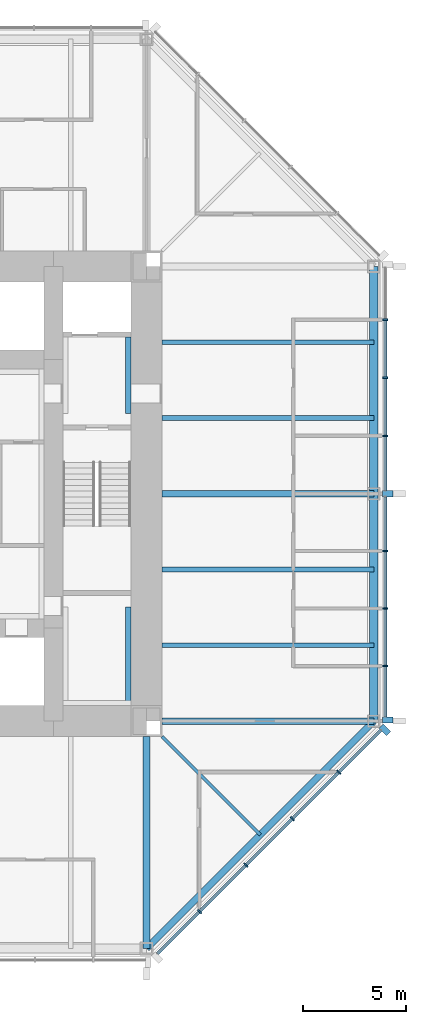
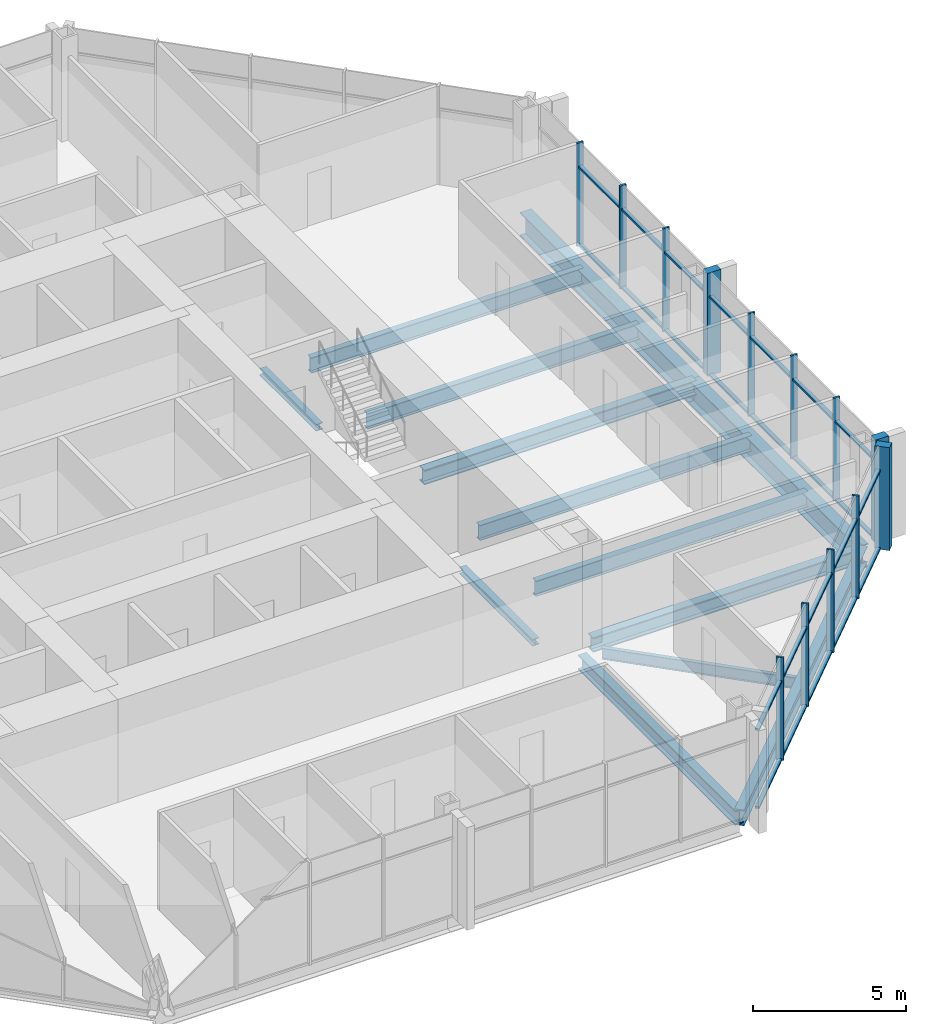
# One storey, part 4 of 12: 37 members, 13 beams, 2 elements without a shape of their own.
"""IFC4 building model written with IfcOpenShell, lengths in metres."""

from ifc_helpers import new_model, si_unit, direction, frame, origin, origin_2d, place, context, subcontext, project, spatial, rectangle, i_section, extrude, material, material_profile, profile_set, type_object, element, aggregate, save


model = new_model("IFC4")

# Units and contexts
model_context = context("Model", 3, precision=1e-05, world=origin(), true_north=direction((0.0, 1.0)))
body_context = subcontext(model_context, "Body", "Model", "MODEL_VIEW")
ifc_project = project(units=[si_unit("LENGTHUNIT", "METRE"), si_unit("AREAUNIT", "SQUARE_METRE"), si_unit("VOLUMEUNIT", "CUBIC_METRE"), si_unit("PLANEANGLEUNIT", "RADIAN"), si_unit("MASSUNIT", "GRAM", prefix="KILO")], contexts=[model_context])

# Site, building, storey
site_placement = place(None, origin())
site = spatial("IfcSite", under=ifc_project, at=site_placement, CompositionType="ELEMENT")
building_placement = place(site_placement, origin())
building = spatial("IfcBuilding", under=site, at=building_placement, Name="Trevanion Tower", CompositionType="ELEMENT")
storey_placement = place(building_placement, frame((0.0, 0.0, 162.300048828125)))
storey = spatial("IfcBuildingStorey", under=building, at=storey_placement, Name="L38", CompositionType="ELEMENT", Elevation=162.300048828125)

# Beams
ifc_material_1 = material(Name="Steel ASTM A992 Grade 50", Category="steel")
ifc_material_profile_1 = material_profile(ifc_material_1, i_section(OverallWidth=0.22900390625, OverallDepth=0.612060546875, WebThickness=0.011962890625, FlangeThickness=0.01953125, at=origin_2d()), Name="W24X84")
ifc_profile_set_1 = profile_set([ifc_material_profile_1], Name="Steel ASTM A992 Grade 50")
beam_type_1 = type_object("IfcBeamType", Name="B7 W24X84", PredefinedType="BEAM", material=ifc_profile_set_1)
for number, where, z_axis, x_axis, name in (
    (1, (11.75, -7.333251953125, -0.49609375), (1.0, 0.0, 0.0), (0.0, 1.0, 0.0), "B7 L38"),
    (2, (11.75, -3.666748046875, -0.49609375), (1.0, 0.0, 0.0), (0.0, 1.0, 0.0), "B7 L38"),
    (3, (11.75, 3.666748046875, -0.49609375), (1.0, 0.0, 0.0), (0.0, 1.0, 0.0), "B7 L38"),
    (4, (11.75, 7.333251953125, -0.49609375), (1.0, 0.0, 0.0), (0.0, 1.0, 0.0), "B7 L38"),
):
    element("IfcBeam", number, at=place(storey_placement, frame(where, z_axis=z_axis, x_axis=x_axis)), inside=storey, type_object=beam_type_1, Name=name, PredefinedType="BEAM", context=body_context, shape_type="SweptSolid", body=[
        extrude(i_section(OverallWidth=0.22900390625, OverallDepth=0.612060546875, WebThickness=0.011962890625, FlangeThickness=0.01953125, at=origin_2d()), origin(), (0.0, 0.0, 1.0), 10.25),
    ])
ifc_material_2 = material(Name="Steel ASTM A992 Grade 50", Category="steel")
ifc_material_profile_2 = material_profile(ifc_material_2, i_section(OverallWidth=0.15234375, OverallDepth=0.449462890625, WebThickness=0.007568359375, FlangeThickness=0.0107421875, at=origin_2d()), Name="W18X35")
ifc_profile_set_2 = profile_set([ifc_material_profile_2], Name="Steel ASTM A992 Grade 50")
beam_type_2 = type_object("IfcBeamType", Name="B8 W18X35", PredefinedType="BEAM", material=ifc_profile_set_2)
beam_1_placement = place(storey_placement, frame((11.75, -11.75, -0.414794921875), z_axis=(0.707106781187, -0.707106781187, 0.0), x_axis=(0.707106781187, 0.707106781187, 0.0)))
element("IfcBeam", 5, at=beam_1_placement, inside=storey, type_object=beam_type_2, Name="B8 L38", PredefinedType="BEAM", context=body_context, shape_type="SweptSolid", body=[
    extrude(i_section(OverallWidth=0.15234375, OverallDepth=0.449462890625, WebThickness=0.007568359375, FlangeThickness=0.0107421875, at=origin_2d()), origin(), (0.0, 0.0, 1.0), 6.717529296875),
])

# Curtain wall, members
ifc_material_3 = material(Name="Aluminium and glass", Category="aluminium")
curtain_wall_type = type_object("IfcCurtainWallType", Name="CW2 curtain wall", PredefinedType="USERDEFINED", material=ifc_material_3)
curtain_wall_1_placement = place(storey_placement, origin())
curtain_wall_1 = element("IfcCurtainWall", 6, at=curtain_wall_1_placement, inside=storey, type_object=curtain_wall_type, Name="CW2 L38 0", ObjectType="UNITISED CURTAIN WALL", PredefinedType="USERDEFINED")
ifc_material_4 = material(Name="Aluminium extrusion, anodised bronze", Category="aluminium")
ifc_material_profile_3 = material_profile(ifc_material_4, rectangle(XDim=0.074951171875, YDim=0.25, at=origin_2d()), Name="CW2 mullion")
ifc_profile_set_3 = profile_set([ifc_material_profile_3], Name="Aluminium extrusion, anodised bronze")
member_type_1 = type_object("IfcMemberType", Name="CW2 mullion", PredefinedType="MULLION", material=ifc_profile_set_3)
member_1_placement = place(storey_placement, frame((22.550048828125, -8.323486328125, -0.18994140625), z_axis=(0.0, 0.0, 1.0), x_axis=(0.0, 1.0, 0.0)))
member_1 = element("IfcMember", 7, at=member_1_placement, type_object=member_type_1, Name="CW2 mullion 2", PredefinedType="MULLION", context=body_context, shape_type="SweptSolid", body=[
    extrude(rectangle(XDim=0.074951171875, YDim=0.25, at=origin_2d()), origin(), (0.0, 0.0, 1.0), 4.099853515625),
])
member_2_placement = place(storey_placement, frame((22.550048828125, -5.548828125, -0.18994140625), z_axis=(0.0, 0.0, 1.0), x_axis=(0.0, 1.0, 0.0)))
member_2 = element("IfcMember", 8, at=member_2_placement, type_object=member_type_1, Name="CW2 mullion 3", PredefinedType="MULLION", context=body_context, shape_type="SweptSolid", body=[
    extrude(rectangle(XDim=0.074951171875, YDim=0.25, at=origin_2d()), origin(), (0.0, 0.0, 1.0), 4.099853515625),
])
member_3_placement = place(storey_placement, frame((22.550048828125, -2.7744140625, -0.18994140625), z_axis=(0.0, 0.0, 1.0), x_axis=(0.0, 1.0, 0.0)))
member_3 = element("IfcMember", 9, at=member_3_placement, type_object=member_type_1, Name="CW2 mullion 4", PredefinedType="MULLION", context=body_context, shape_type="SweptSolid", body=[
    extrude(rectangle(XDim=0.074951171875, YDim=0.25, at=origin_2d()), origin(), (0.0, 0.0, 1.0), 4.099853515625),
])
member_4_placement = place(storey_placement, frame((22.550048828125, 2.806884765625, -0.18994140625), z_axis=(0.0, 0.0, 1.0), x_axis=(0.0, 1.0, 0.0)))
member_4 = element("IfcMember", 10, at=member_4_placement, type_object=member_type_1, Name="CW2 mullion 6", PredefinedType="MULLION", context=body_context, shape_type="SweptSolid", body=[
    extrude(rectangle(XDim=0.074951171875, YDim=0.25, at=origin_2d()), origin(), (0.0, 0.0, 1.0), 4.099853515625),
])
member_5_placement = place(storey_placement, frame((22.550048828125, 5.614013671875, -0.18994140625), z_axis=(0.0, 0.0, 1.0), x_axis=(0.0, 1.0, 0.0)))
member_5 = element("IfcMember", 11, at=member_5_placement, type_object=member_type_1, Name="CW2 mullion 7", PredefinedType="MULLION", context=body_context, shape_type="SweptSolid", body=[
    extrude(rectangle(XDim=0.074951171875, YDim=0.25, at=origin_2d()), origin(), (0.0, 0.0, 1.0), 4.099853515625),
])
member_6_placement = place(storey_placement, frame((22.550048828125, 8.4208984375, -0.18994140625), z_axis=(0.0, 0.0, 1.0), x_axis=(0.0, 1.0, 0.0)))
member_6 = element("IfcMember", 12, at=member_6_placement, type_object=member_type_1, Name="CW2 mullion 8", PredefinedType="MULLION", context=body_context, shape_type="SweptSolid", body=[
    extrude(rectangle(XDim=0.074951171875, YDim=0.25, at=origin_2d()), origin(), (0.0, 0.0, 1.0), 4.099853515625),
])

curtain_wall_2_placement = place(storey_placement, origin())
curtain_wall_2 = element("IfcCurtainWall", 13, at=curtain_wall_2_placement, inside=storey, type_object=curtain_wall_type, Name="CW2 L38 7", ObjectType="UNITISED CURTAIN WALL", PredefinedType="USERDEFINED")
member_7_placement = place(storey_placement, frame((13.56591796875, -20.2119140625, -0.18994140625), z_axis=(0.0, 0.0, 1.0), x_axis=(0.707106781187, 0.707106781187, 0.0)))
member_7 = element("IfcMember", 14, at=member_7_placement, type_object=member_type_1, Name="CW2 mullion 2", PredefinedType="MULLION", context=body_context, shape_type="SweptSolid", body=[
    extrude(rectangle(XDim=0.074951171875, YDim=0.25, at=origin_2d()), origin(), (0.0, 0.0, 1.0), 4.099853515625),
])
member_8_placement = place(storey_placement, frame((15.811767578125, -17.966064453125, -0.18994140625), z_axis=(0.0, 0.0, 1.0), x_axis=(0.707106781187, 0.707106781187, 0.0)))
member_8 = element("IfcMember", 15, at=member_8_placement, type_object=member_type_1, Name="CW2 mullion 3", PredefinedType="MULLION", context=body_context, shape_type="SweptSolid", body=[
    extrude(rectangle(XDim=0.074951171875, YDim=0.25, at=origin_2d()), origin(), (0.0, 0.0, 1.0), 4.099853515625),
])
member_9_placement = place(storey_placement, frame((18.057861328125, -15.719970703125, -0.18994140625), z_axis=(0.0, 0.0, 1.0), x_axis=(0.707106781187, 0.707106781187, 0.0)))
member_9 = element("IfcMember", 16, at=member_9_placement, type_object=member_type_1, Name="CW2 mullion 4", PredefinedType="MULLION", context=body_context, shape_type="SweptSolid", body=[
    extrude(rectangle(XDim=0.074951171875, YDim=0.25, at=origin_2d()), origin(), (0.0, 0.0, 1.0), 4.099853515625),
])
member_10_placement = place(storey_placement, frame((20.303955078125, -13.473876953125, -0.18994140625), z_axis=(0.0, 0.0, 1.0), x_axis=(0.707106781187, 0.707106781187, 0.0)))
member_10 = element("IfcMember", 17, at=member_10_placement, type_object=member_type_1, Name="CW2 mullion 5", PredefinedType="MULLION", context=body_context, shape_type="SweptSolid", body=[
    extrude(rectangle(XDim=0.074951171875, YDim=0.25, at=origin_2d()), origin(), (0.0, 0.0, 1.0), 4.099853515625),
])

# Member
ifc_material_5 = material(Name="Aluminium extrusion, anodised bronze", Category="aluminium")
ifc_material_profile_4 = material_profile(ifc_material_5, rectangle(XDim=0.300048828125, YDim=0.5, at=origin_2d()), Name="CW2 pier mullion")
ifc_profile_set_4 = profile_set([ifc_material_profile_4], Name="Aluminium extrusion, anodised bronze")
member_type_2 = type_object("IfcMemberType", Name="CW2 pier mullion", PredefinedType="MULLION", material=ifc_profile_set_4)
member_11_placement = place(storey_placement, frame((22.675048828125, -10.94775390625, -0.18994140625), z_axis=(0.0, 0.0, 1.0), x_axis=(0.0, 1.0, 0.0)))
member_11 = element("IfcMember", 18, at=member_11_placement, type_object=member_type_2, Name="CW2 pier mullion 1", PredefinedType="MULLION", context=body_context, shape_type="SweptSolid", body=[
    extrude(rectangle(XDim=0.300048828125, YDim=0.5, at=origin_2d()), origin(), (0.0, 0.0, 1.0), 4.099853515625),
])

member_12_placement = place(storey_placement, frame((22.675048828125, 0.0, -0.18994140625), z_axis=(0.0, 0.0, 1.0), x_axis=(0.0, 1.0, 0.0)))
member_12 = element("IfcMember", 19, at=member_12_placement, type_object=member_type_2, Name="CW2 pier mullion 5", PredefinedType="MULLION", context=body_context, shape_type="SweptSolid", body=[
    extrude(rectangle(XDim=0.300048828125, YDim=0.5, at=origin_2d()), origin(), (0.0, 0.0, 1.0), 4.099853515625),
])

member_13_placement = place(storey_placement, frame((22.5322265625, -11.42236328125, -0.18994140625), z_axis=(0.0, 0.0, 1.0), x_axis=(0.707106781187, 0.707106781187, 0.0)))
member_13 = element("IfcMember", 20, at=member_13_placement, type_object=member_type_2, Name="CW2 pier mullion 6", PredefinedType="MULLION", context=body_context, shape_type="SweptSolid", body=[
    extrude(rectangle(XDim=0.300048828125, YDim=0.5, at=origin_2d()), origin(), (0.0, 0.0, 1.0), 4.099853515625),
])

ifc_material_6 = material(Name="Aluminium extrusion, anodised bronze", Category="aluminium")
ifc_material_profile_5 = material_profile(ifc_material_6, rectangle(XDim=0.14990234375, YDim=0.074951171875, at=origin_2d()), Name="CW2 transom")
ifc_profile_set_5 = profile_set([ifc_material_profile_5], Name="Aluminium extrusion, anodised bronze")
member_type_3 = type_object("IfcMemberType", Name="CW2 transom", PredefinedType="USERDEFINED", material=ifc_profile_set_5)
member_14_placement = place(storey_placement, frame((22.550048828125, -10.7978515625, -0.152587890625), z_axis=(0.0, 1.0, 0.0), x_axis=(-1.0, 0.0, 0.0)))
member_14 = element("IfcMember", 21, at=member_14_placement, type_object=member_type_3, Name="CW2 transom 1.1", ObjectType="TRANSOM", PredefinedType="USERDEFINED", context=body_context, shape_type="SweptSolid", body=[
    extrude(rectangle(XDim=0.14990234375, YDim=0.074951171875, at=origin_2d()), origin(), (0.0, 0.0, 1.0), 2.43701171875),
])

member_15_placement = place(storey_placement, frame((22.550048828125, -10.7978515625, 2.9599609375), z_axis=(0.0, 1.0, 0.0), x_axis=(-1.0, 0.0, 0.0)))
member_15 = element("IfcMember", 22, at=member_15_placement, type_object=member_type_3, Name="CW2 transom 1.2", ObjectType="TRANSOM", PredefinedType="USERDEFINED", context=body_context, shape_type="SweptSolid", body=[
    extrude(rectangle(XDim=0.14990234375, YDim=0.074951171875, at=origin_2d()), origin(), (0.0, 0.0, 1.0), 2.43701171875),
])

member_16_placement = place(storey_placement, frame((22.550048828125, -8.285888671875, -0.152587890625), z_axis=(0.0, 1.0, 0.0), x_axis=(-1.0, 0.0, 0.0)))
member_16 = element("IfcMember", 23, at=member_16_placement, type_object=member_type_3, Name="CW2 transom 2.1", ObjectType="TRANSOM", PredefinedType="USERDEFINED", context=body_context, shape_type="SweptSolid", body=[
    extrude(rectangle(XDim=0.14990234375, YDim=0.074951171875, at=origin_2d()), origin(), (0.0, 0.0, 1.0), 2.699462890625),
])

member_17_placement = place(storey_placement, frame((22.550048828125, -8.285888671875, 2.9599609375), z_axis=(0.0, 1.0, 0.0), x_axis=(-1.0, 0.0, 0.0)))
member_17 = element("IfcMember", 24, at=member_17_placement, type_object=member_type_3, Name="CW2 transom 2.2", ObjectType="TRANSOM", PredefinedType="USERDEFINED", context=body_context, shape_type="SweptSolid", body=[
    extrude(rectangle(XDim=0.14990234375, YDim=0.074951171875, at=origin_2d()), origin(), (0.0, 0.0, 1.0), 2.699462890625),
])

member_18_placement = place(storey_placement, frame((22.550048828125, -5.511474609375, -0.152587890625), z_axis=(0.0, 1.0, 0.0), x_axis=(-1.0, 0.0, 0.0)))
member_18 = element("IfcMember", 25, at=member_18_placement, type_object=member_type_3, Name="CW2 transom 3.1", ObjectType="TRANSOM", PredefinedType="USERDEFINED", context=body_context, shape_type="SweptSolid", body=[
    extrude(rectangle(XDim=0.14990234375, YDim=0.074951171875, at=origin_2d()), origin(), (0.0, 0.0, 1.0), 2.699462890625),
])

member_19_placement = place(storey_placement, frame((22.550048828125, -5.511474609375, 2.9599609375), z_axis=(0.0, 1.0, 0.0), x_axis=(-1.0, 0.0, 0.0)))
member_19 = element("IfcMember", 26, at=member_19_placement, type_object=member_type_3, Name="CW2 transom 3.2", ObjectType="TRANSOM", PredefinedType="USERDEFINED", context=body_context, shape_type="SweptSolid", body=[
    extrude(rectangle(XDim=0.14990234375, YDim=0.074951171875, at=origin_2d()), origin(), (0.0, 0.0, 1.0), 2.699462890625),
])

member_20_placement = place(storey_placement, frame((22.550048828125, -2.737060546875, -0.152587890625), z_axis=(0.0, 1.0, 0.0), x_axis=(-1.0, 0.0, 0.0)))
member_20 = element("IfcMember", 27, at=member_20_placement, type_object=member_type_3, Name="CW2 transom 4.1", ObjectType="TRANSOM", PredefinedType="USERDEFINED", context=body_context, shape_type="SweptSolid", body=[
    extrude(rectangle(XDim=0.14990234375, YDim=0.074951171875, at=origin_2d()), origin(), (0.0, 0.0, 1.0), 2.587158203125),
])

member_21_placement = place(storey_placement, frame((22.550048828125, -2.737060546875, 2.9599609375), z_axis=(0.0, 1.0, 0.0), x_axis=(-1.0, 0.0, 0.0)))
member_21 = element("IfcMember", 28, at=member_21_placement, type_object=member_type_3, Name="CW2 transom 4.2", ObjectType="TRANSOM", PredefinedType="USERDEFINED", context=body_context, shape_type="SweptSolid", body=[
    extrude(rectangle(XDim=0.14990234375, YDim=0.074951171875, at=origin_2d()), origin(), (0.0, 0.0, 1.0), 2.587158203125),
])

member_22_placement = place(storey_placement, frame((22.550048828125, 0.14990234375, -0.152587890625), z_axis=(0.0, 1.0, 0.0), x_axis=(-1.0, 0.0, 0.0)))
member_22 = element("IfcMember", 29, at=member_22_placement, type_object=member_type_3, Name="CW2 transom 5.1", ObjectType="TRANSOM", PredefinedType="USERDEFINED", context=body_context, shape_type="SweptSolid", body=[
    extrude(rectangle(XDim=0.14990234375, YDim=0.074951171875, at=origin_2d()), origin(), (0.0, 0.0, 1.0), 2.619384765625),
])

member_23_placement = place(storey_placement, frame((22.550048828125, 0.14990234375, 2.9599609375), z_axis=(0.0, 1.0, 0.0), x_axis=(-1.0, 0.0, 0.0)))
member_23 = element("IfcMember", 30, at=member_23_placement, type_object=member_type_3, Name="CW2 transom 5.2", ObjectType="TRANSOM", PredefinedType="USERDEFINED", context=body_context, shape_type="SweptSolid", body=[
    extrude(rectangle(XDim=0.14990234375, YDim=0.074951171875, at=origin_2d()), origin(), (0.0, 0.0, 1.0), 2.619384765625),
])

member_24_placement = place(storey_placement, frame((22.550048828125, 2.844482421875, -0.152587890625), z_axis=(0.0, 1.0, 0.0), x_axis=(-1.0, 0.0, 0.0)))
member_24 = element("IfcMember", 31, at=member_24_placement, type_object=member_type_3, Name="CW2 transom 6.1", ObjectType="TRANSOM", PredefinedType="USERDEFINED", context=body_context, shape_type="SweptSolid", body=[
    extrude(rectangle(XDim=0.14990234375, YDim=0.074951171875, at=origin_2d()), origin(), (0.0, 0.0, 1.0), 2.73193359375),
])

member_25_placement = place(storey_placement, frame((22.550048828125, 2.844482421875, 2.9599609375), z_axis=(0.0, 1.0, 0.0), x_axis=(-1.0, 0.0, 0.0)))
member_25 = element("IfcMember", 32, at=member_25_placement, type_object=member_type_3, Name="CW2 transom 6.2", ObjectType="TRANSOM", PredefinedType="USERDEFINED", context=body_context, shape_type="SweptSolid", body=[
    extrude(rectangle(XDim=0.14990234375, YDim=0.074951171875, at=origin_2d()), origin(), (0.0, 0.0, 1.0), 2.73193359375),
])

member_26_placement = place(storey_placement, frame((22.550048828125, 5.6513671875, -0.152587890625), z_axis=(0.0, 1.0, 0.0), x_axis=(-1.0, 0.0, 0.0)))
member_26 = element("IfcMember", 33, at=member_26_placement, type_object=member_type_3, Name="CW2 transom 7.1", ObjectType="TRANSOM", PredefinedType="USERDEFINED", context=body_context, shape_type="SweptSolid", body=[
    extrude(rectangle(XDim=0.14990234375, YDim=0.074951171875, at=origin_2d()), origin(), (0.0, 0.0, 1.0), 2.73193359375),
])

member_27_placement = place(storey_placement, frame((22.550048828125, 5.6513671875, 2.9599609375), z_axis=(0.0, 1.0, 0.0), x_axis=(-1.0, 0.0, 0.0)))
member_27 = element("IfcMember", 34, at=member_27_placement, type_object=member_type_3, Name="CW2 transom 7.2", ObjectType="TRANSOM", PredefinedType="USERDEFINED", context=body_context, shape_type="SweptSolid", body=[
    extrude(rectangle(XDim=0.14990234375, YDim=0.074951171875, at=origin_2d()), origin(), (0.0, 0.0, 1.0), 2.73193359375),
])

aggregate(curtain_wall_1, [member_11, member_1, member_2, member_3, member_12, member_4, member_5, member_6, member_14, member_15, member_16, member_17, member_18, member_19, member_20, member_21, member_22, member_23, member_24, member_25, member_26, member_27])

member_28_placement = place(storey_placement, frame((11.531982421875, -22.245849609375, -0.152587890625), z_axis=(0.707106781187, 0.707106781187, 0.0), x_axis=(-0.707106781187, 0.707106781187, 0.0)))
member_28 = element("IfcMember", 35, at=member_28_placement, type_object=member_type_3, Name="CW2 transom 1.1", ObjectType="TRANSOM", PredefinedType="USERDEFINED", context=body_context, shape_type="SweptSolid", body=[
    extrude(rectangle(XDim=0.14990234375, YDim=0.074951171875, at=origin_2d()), origin(), (0.0, 0.0, 1.0), 2.8388671875),
])

member_29_placement = place(storey_placement, frame((11.531982421875, -22.245849609375, 2.9599609375), z_axis=(0.707106781187, 0.707106781187, 0.0), x_axis=(-0.707106781187, 0.707106781187, 0.0)))
member_29 = element("IfcMember", 36, at=member_29_placement, type_object=member_type_3, Name="CW2 transom 1.2", ObjectType="TRANSOM", PredefinedType="USERDEFINED", context=body_context, shape_type="SweptSolid", body=[
    extrude(rectangle(XDim=0.14990234375, YDim=0.074951171875, at=origin_2d()), origin(), (0.0, 0.0, 1.0), 2.8388671875),
])

member_30_placement = place(storey_placement, frame((13.59228515625, -20.185546875, -0.152587890625), z_axis=(0.707106781187, 0.707106781187, 0.0), x_axis=(-0.707106781187, 0.707106781187, 0.0)))
member_30 = element("IfcMember", 37, at=member_30_placement, type_object=member_type_3, Name="CW2 transom 2.1", ObjectType="TRANSOM", PredefinedType="USERDEFINED", context=body_context, shape_type="SweptSolid", body=[
    extrude(rectangle(XDim=0.14990234375, YDim=0.074951171875, at=origin_2d()), origin(), (0.0, 0.0, 1.0), 3.1015625),
])

member_31_placement = place(storey_placement, frame((13.59228515625, -20.185546875, 2.9599609375), z_axis=(0.707106781187, 0.707106781187, 0.0), x_axis=(-0.707106781187, 0.707106781187, 0.0)))
member_31 = element("IfcMember", 38, at=member_31_placement, type_object=member_type_3, Name="CW2 transom 2.2", ObjectType="TRANSOM", PredefinedType="USERDEFINED", context=body_context, shape_type="SweptSolid", body=[
    extrude(rectangle(XDim=0.14990234375, YDim=0.074951171875, at=origin_2d()), origin(), (0.0, 0.0, 1.0), 3.1015625),
])

member_32_placement = place(storey_placement, frame((15.83837890625, -17.939453125, -0.152587890625), z_axis=(0.707106781187, 0.707106781187, 0.0), x_axis=(-0.707106781187, 0.707106781187, 0.0)))
member_32 = element("IfcMember", 39, at=member_32_placement, type_object=member_type_3, Name="CW2 transom 3.1", ObjectType="TRANSOM", PredefinedType="USERDEFINED", context=body_context, shape_type="SweptSolid", body=[
    extrude(rectangle(XDim=0.14990234375, YDim=0.074951171875, at=origin_2d()), origin(), (0.0, 0.0, 1.0), 3.1015625),
])

member_33_placement = place(storey_placement, frame((15.83837890625, -17.939453125, 2.9599609375), z_axis=(0.707106781187, 0.707106781187, 0.0), x_axis=(-0.707106781187, 0.707106781187, 0.0)))
member_33 = element("IfcMember", 40, at=member_33_placement, type_object=member_type_3, Name="CW2 transom 3.2", ObjectType="TRANSOM", PredefinedType="USERDEFINED", context=body_context, shape_type="SweptSolid", body=[
    extrude(rectangle(XDim=0.14990234375, YDim=0.074951171875, at=origin_2d()), origin(), (0.0, 0.0, 1.0), 3.1015625),
])

member_34_placement = place(storey_placement, frame((18.08447265625, -15.693359375, -0.152587890625), z_axis=(0.707106781187, 0.707106781187, 0.0), x_axis=(-0.707106781187, 0.707106781187, 0.0)))
member_34 = element("IfcMember", 41, at=member_34_placement, type_object=member_type_3, Name="CW2 transom 4.1", ObjectType="TRANSOM", PredefinedType="USERDEFINED", context=body_context, shape_type="SweptSolid", body=[
    extrude(rectangle(XDim=0.14990234375, YDim=0.074951171875, at=origin_2d()), origin(), (0.0, 0.0, 1.0), 3.10107421875),
])

member_35_placement = place(storey_placement, frame((18.08447265625, -15.693359375, 2.9599609375), z_axis=(0.707106781187, 0.707106781187, 0.0), x_axis=(-0.707106781187, 0.707106781187, 0.0)))
member_35 = element("IfcMember", 42, at=member_35_placement, type_object=member_type_3, Name="CW2 transom 4.2", ObjectType="TRANSOM", PredefinedType="USERDEFINED", context=body_context, shape_type="SweptSolid", body=[
    extrude(rectangle(XDim=0.14990234375, YDim=0.074951171875, at=origin_2d()), origin(), (0.0, 0.0, 1.0), 3.10107421875),
])

member_36_placement = place(storey_placement, frame((20.33056640625, -13.447509765625, -0.152587890625), z_axis=(0.707063781595, 0.707149778163, 0.0), x_axis=(-0.707149778163, 0.707063781595, 0.0)))
member_36 = element("IfcMember", 43, at=member_36_placement, type_object=member_type_3, Name="CW2 transom 5.1", ObjectType="TRANSOM", PredefinedType="USERDEFINED", context=body_context, shape_type="SweptSolid", body=[
    extrude(rectangle(XDim=0.14990234375, YDim=0.074951171875, at=origin_2d()), origin(), (0.0, 0.0, 1.0), 2.8388671875),
])

member_37_placement = place(storey_placement, frame((20.33056640625, -13.447509765625, 2.9599609375), z_axis=(0.707063781595, 0.707149778163, 0.0), x_axis=(-0.707149778163, 0.707063781595, 0.0)))
member_37 = element("IfcMember", 44, at=member_37_placement, type_object=member_type_3, Name="CW2 transom 5.2", ObjectType="TRANSOM", PredefinedType="USERDEFINED", context=body_context, shape_type="SweptSolid", body=[
    extrude(rectangle(XDim=0.14990234375, YDim=0.074951171875, at=origin_2d()), origin(), (0.0, 0.0, 1.0), 2.8388671875),
])

aggregate(curtain_wall_2, [member_7, member_8, member_9, member_10, member_13, member_28, member_29, member_30, member_31, member_32, member_33, member_34, member_35, member_36, member_37])

# Beams
ifc_material_7 = material(Name="Steel ASTM A992 Grade 50", Category="steel")
ifc_material_profile_6 = material_profile(ifc_material_7, i_section(OverallWidth=0.320068359375, OverallDepth=0.584228515625, WebThickness=0.023193359375, FlangeThickness=0.04150390625, at=origin_2d()), Name="W21X201")
ifc_profile_set_6 = profile_set([ifc_material_profile_6], Name="Steel ASTM A992 Grade 50")
beam_type_3 = type_object("IfcBeamType", Name="G4 W21X201", PredefinedType="BEAM", material=ifc_profile_set_6)
for number, where, z_axis, x_axis, name in (
    (45, (11.75, -11.0, -0.482177734375), (1.0, 0.0, 0.0), (0.0, 1.0, 0.0), "G4 L38"),
    (46, (11.75, 0.0, -0.482177734375), (1.0, 0.0, 0.0), (0.0, 1.0, 0.0), "G4 L38"),
    (47, (11.0, -11.75, -0.482177734375), (0.0, -1.0, 0.0), (1.0, 0.0, 0.0), "G4 L38"),
):
    element("IfcBeam", number, at=place(storey_placement, frame(where, z_axis=z_axis, x_axis=x_axis)), inside=storey, type_object=beam_type_3, Name=name, PredefinedType="BEAM", context=body_context, shape_type="SweptSolid", body=[
        extrude(i_section(OverallWidth=0.320068359375, OverallDepth=0.584228515625, WebThickness=0.023193359375, FlangeThickness=0.04150390625, at=origin_2d()), origin(), (0.0, 0.0, 1.0), 10.25),
    ])
ifc_material_8 = material(Name="Steel ASTM A992 Grade 50", Category="steel")
ifc_material_profile_7 = material_profile(ifc_material_8, i_section(OverallWidth=0.256591796875, OverallDepth=0.26416015625, WebThickness=0.011962890625, FlangeThickness=0.01953125, at=origin_2d()), Name="W10X68")
ifc_profile_set_7 = profile_set([ifc_material_profile_7], Name="Steel ASTM A992 Grade 50")
beam_type_4 = type_object("IfcBeamType", Name="LB1 W10X68", PredefinedType="BEAM", material=ifc_profile_set_7)
beam_2_placement = place(storey_placement, frame((10.12158203125, 3.875, -0.33203125), z_axis=(0.0, 1.0, 0.0), x_axis=(-1.0, 0.0, 0.0)))
element("IfcBeam", 48, at=beam_2_placement, inside=storey, type_object=beam_type_4, Name="LB1 L38", PredefinedType="BEAM", context=body_context, shape_type="SweptSolid", body=[
    extrude(i_section(OverallWidth=0.256591796875, OverallDepth=0.26416015625, WebThickness=0.011962890625, FlangeThickness=0.01953125, at=origin_2d()), origin(), (0.0, 0.0, 1.0), 3.699951171875),
])
beam_3_placement = place(storey_placement, frame((10.12158203125, -10.25, -0.33203125), z_axis=(0.0, 1.0, 0.0), x_axis=(-1.0, 0.0, 0.0)))
element("IfcBeam", 49, at=beam_3_placement, inside=storey, type_object=beam_type_4, Name="LB1 L38", PredefinedType="BEAM", context=body_context, shape_type="SweptSolid", body=[
    extrude(i_section(OverallWidth=0.256591796875, OverallDepth=0.26416015625, WebThickness=0.011962890625, FlangeThickness=0.01953125, at=origin_2d()), origin(), (0.0, 0.0, 1.0), 4.77490234375),
])
ifc_material_9 = material(Name="Steel ASTM A992 Grade 50", Category="steel")
ifc_material_profile_8 = material_profile(ifc_material_9, i_section(OverallWidth=0.419189453125, OverallDepth=0.927001953125, WebThickness=0.019287109375, FlangeThickness=0.031982421875, at=origin_2d()), Name="W36X231")
ifc_profile_set_8 = profile_set([ifc_material_profile_8], Name="Steel ASTM A992 Grade 50")
beam_type_5 = type_object("IfcBeamType", Name="SB4 W36X231", PredefinedType="SPANDREL", material=ifc_profile_set_8)
for number, where, z_axis, x_axis, name in (
    (50, (22.0, -11.0, -0.653564453125), (0.0, 1.0, 0.0), (-1.0, 0.0, 0.0), "SB4 L38"),
    (51, (22.0, 0.0, -0.653564453125), (0.0, 1.0, 0.0), (-1.0, 0.0, 0.0), "SB4 L38"),
):
    element("IfcBeam", number, at=place(storey_placement, frame(where, z_axis=z_axis, x_axis=x_axis)), inside=storey, type_object=beam_type_5, Name=name, PredefinedType="SPANDREL", context=body_context, shape_type="SweptSolid", body=[
        extrude(i_section(OverallWidth=0.419189453125, OverallDepth=0.927001953125, WebThickness=0.019287109375, FlangeThickness=0.031982421875, at=origin_2d()), origin(), (0.0, 0.0, 1.0), 11.0),
    ])
ifc_material_10 = material(Name="Steel ASTM A992 Grade 50", Category="steel")
ifc_material_profile_9 = material_profile(ifc_material_10, i_section(OverallWidth=0.32763671875, OverallDepth=0.62744140625, WebThickness=0.0166015625, FlangeThickness=0.027587890625, at=origin_2d()), Name="W24X146")
ifc_profile_set_9 = profile_set([ifc_material_profile_9], Name="Steel ASTM A992 Grade 50")
beam_type_6 = type_object("IfcBeamType", Name="SB5 W24X146", PredefinedType="SPANDREL", material=ifc_profile_set_9)
beam_4_placement = place(storey_placement, frame((11.0, -22.0, -0.503662109375), z_axis=(0.707106781187, 0.707106781187, 0.0), x_axis=(-0.707106781187, 0.707106781187, 0.0)))
element("IfcBeam", 52, at=beam_4_placement, inside=storey, type_object=beam_type_6, Name="SB5 L38", PredefinedType="SPANDREL", context=body_context, shape_type="SweptSolid", body=[
    extrude(i_section(OverallWidth=0.32763671875, OverallDepth=0.62744140625, WebThickness=0.0166015625, FlangeThickness=0.027587890625, at=origin_2d()), origin(), (0.0, 0.0, 1.0), 15.556396484375),
])

save(model, "model.ifc")
